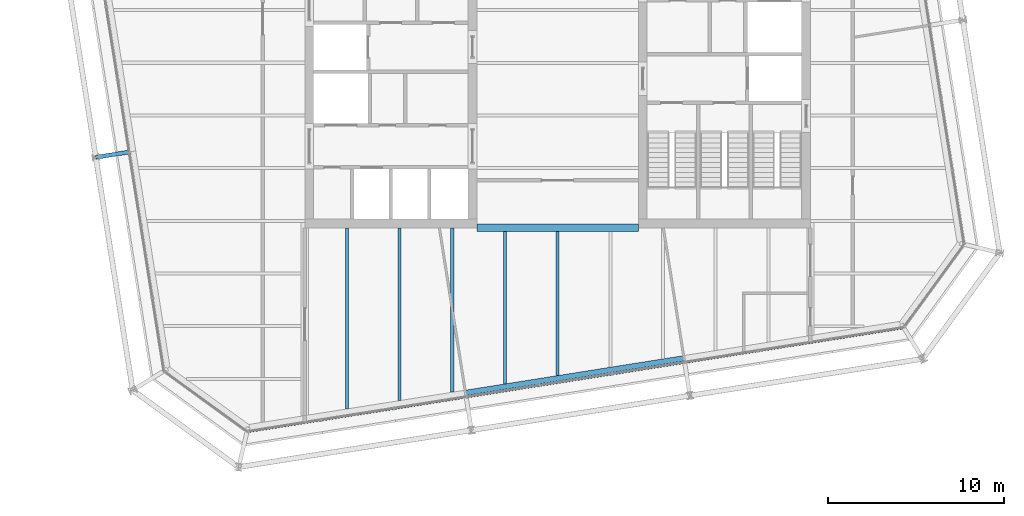
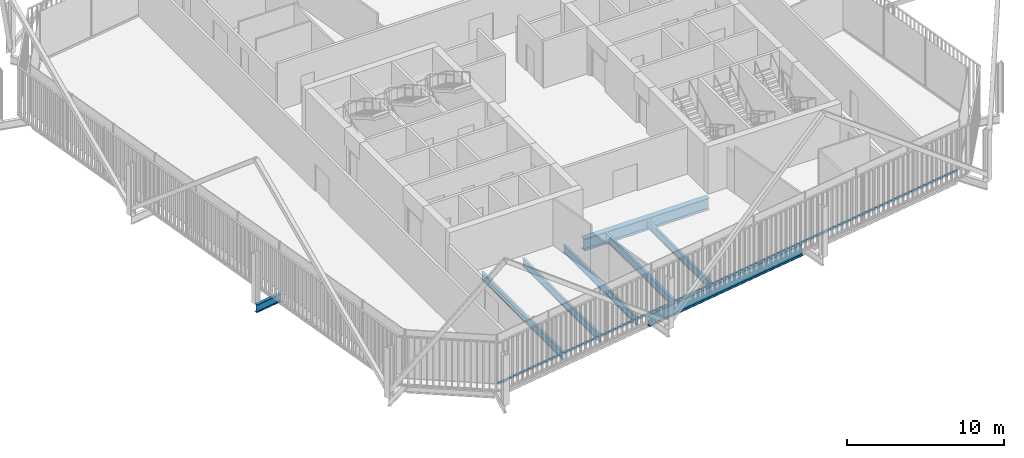
# One storey, part 4 of 21: 8 beams, 1 member, 1 element without a shape of its own.
"""IFC4 building model written with IfcOpenShell, lengths in metres."""

from ifc_helpers import new_model, si_unit, direction, frame, origin, origin_2d, place, context, subcontext, project, spatial, rectangle, i_section, extrude, material, layer, layer_set, material_profile, profile_set, type_object, element, aggregate, save


model = new_model("IFC4")

# Units and contexts
model_context = context("Model", 3, precision=1e-05, world=origin(), true_north=direction((0.0, 1.0)))
body_context = subcontext(model_context, "Body", "Model", "MODEL_VIEW")
ifc_project = project(units=[si_unit("LENGTHUNIT", "METRE"), si_unit("AREAUNIT", "SQUARE_METRE"), si_unit("VOLUMEUNIT", "CUBIC_METRE"), si_unit("PLANEANGLEUNIT", "RADIAN"), si_unit("MASSUNIT", "GRAM", prefix="KILO")], contexts=[model_context])

# Site, building, storey
site_placement = place(None, origin())
site = spatial("IfcSite", under=ifc_project, at=site_placement, CompositionType="ELEMENT")
building_placement = place(site_placement, origin())
building = spatial("IfcBuilding", under=site, at=building_placement, Name="Millrace Tower", CompositionType="ELEMENT")
storey_placement = place(building_placement, frame((0.0, 0.0, 235.89990234375)))
storey = spatial("IfcBuildingStorey", under=building, at=storey_placement, Name="L54", CompositionType="ELEMENT", Elevation=235.89990234375)

# Curtain wall, member
ifc_material_1 = material(Name="Aluminium and glass", Category="aluminium")
ifc_layer = layer(ifc_material_1, 0.14990234375)
ifc_layer_set = layer_set([ifc_layer], Name="Aluminium and glass")
curtain_wall_type = type_object("IfcCurtainWallType", Name="CW-1 office vision curtain wall", PredefinedType="NOTDEFINED", material=ifc_layer_set)
curtain_wall_placement = place(storey_placement, origin())
curtain_wall = element("IfcCurtainWall", 1, at=curtain_wall_placement, inside=storey, type_object=curtain_wall_type, Name="Curtain wall D-F02 L54", PredefinedType="NOTDEFINED")
ifc_material_2 = material(Name="Aluminium", Category="aluminium")
ifc_material_profile_1 = material_profile(ifc_material_2, rectangle(XDim=0.14990234375, YDim=0.139892578125, at=origin_2d()))
ifc_profile_set_1 = profile_set([ifc_material_profile_1], Name="Aluminium")
member_type = type_object("IfcMemberType", Name="CW-1 office vision curtain wall transom", PredefinedType="USERDEFINED", material=ifc_profile_set_1)
member_placement = place(storey_placement, frame((-17.558837890625, -20.98193359375, 0.070068359375), z_axis=(0.987687829698, 0.156437690685, 0.0), x_axis=(-0.156437690685, 0.987687829698, 0.0)))
member = element("IfcMember", 2, at=member_placement, type_object=member_type, Name="CW1 transom D-F02.1", ObjectType="TRANSOM", PredefinedType="USERDEFINED", context=body_context, shape_type="SweptSolid", body=[
    extrude(rectangle(XDim=0.14990234375, YDim=0.139892578125, at=origin_2d()), origin(), (0.0, 0.0, 1.0), 37.60009765625),
])
aggregate(curtain_wall, [member])

# Beams
ifc_material_3 = material(Name="Steel ASTM A992 Grade 50", Category="steel")
ifc_material_profile_2 = material_profile(ifc_material_3, i_section(OverallWidth=0.177978515625, OverallDepth=0.599365234375, WebThickness=0.010009765625, FlangeThickness=0.012939453125, FilletRadius=0.012939453125, at=origin_2d()))
ifc_profile_set_2 = profile_set([ifc_material_profile_2], Name="Steel ASTM A992 Grade 50")
beam_type_1 = type_object("IfcBeamType", Name="Floor beam W24x55", PredefinedType="JOIST", material=ifc_profile_set_2)
beam_1_placement = place(storey_placement, frame((-9.0, -19.2392578125, -0.459716796875), z_axis=(0.0, 1.0, 0.0), x_axis=(-1.0, 0.0, 0.0)))
element("IfcBeam", 3, at=beam_1_placement, inside=storey, type_object=beam_type_1, Name="BM-D-L54-S1-S039", PredefinedType="JOIST", context=body_context, shape_type="SweptSolid", body=[
    extrude(i_section(OverallWidth=0.177978515625, OverallDepth=0.599365234375, WebThickness=0.010009765625, FlangeThickness=0.012939453125, FilletRadius=0.012939453125, at=origin_2d()), origin(), (0.0, 0.0, 1.0), 9.83935546875),
])
beam_2_placement = place(storey_placement, frame((-6.0, -18.763916015625, -0.459716796875), z_axis=(0.0, 1.0, 0.0), x_axis=(-1.0, 0.0, 0.0)))
element("IfcBeam", 4, at=beam_2_placement, inside=storey, type_object=beam_type_1, Name="BM-D-L54-S1-S041", PredefinedType="JOIST", context=body_context, shape_type="SweptSolid", body=[
    extrude(i_section(OverallWidth=0.177978515625, OverallDepth=0.599365234375, WebThickness=0.010009765625, FlangeThickness=0.012939453125, FilletRadius=0.012939453125, at=origin_2d()), origin(), (0.0, 0.0, 1.0), 9.364013671875),
])
beam_3_placement = place(storey_placement, frame((-3.0, -18.288818359375, -0.459716796875), z_axis=(0.0, 1.0, 0.0), x_axis=(-1.0, 0.0, 0.0)))
element("IfcBeam", 5, at=beam_3_placement, inside=storey, type_object=beam_type_1, Name="BM-D-L54-S1-S043", PredefinedType="JOIST", context=body_context, shape_type="SweptSolid", body=[
    extrude(i_section(OverallWidth=0.177978515625, OverallDepth=0.599365234375, WebThickness=0.010009765625, FlangeThickness=0.012939453125, FilletRadius=0.012939453125, at=origin_2d()), origin(), (0.0, 0.0, 1.0), 8.67919921875),
])
beam_4_placement = place(storey_placement, frame((0.0, -17.813720703125, -0.459716796875), z_axis=(0.0, 1.0, 0.0), x_axis=(-1.0, 0.0, 0.0)))
element("IfcBeam", 6, at=beam_4_placement, inside=storey, type_object=beam_type_1, Name="BM-D-L54-S1-S045", PredefinedType="JOIST", context=body_context, shape_type="SweptSolid", body=[
    extrude(i_section(OverallWidth=0.177978515625, OverallDepth=0.599365234375, WebThickness=0.010009765625, FlangeThickness=0.012939453125, FilletRadius=0.012939453125, at=origin_2d()), origin(), (0.0, 0.0, 1.0), 8.2041015625),
])
ifc_material_4 = material(Name="Steel ASTM A992 Grade 50", Category="steel")
ifc_material_profile_3 = material_profile(ifc_material_4, i_section(OverallWidth=0.1787109375, OverallDepth=0.60205078125, WebThickness=0.010986328125, FlangeThickness=0.014892578125, FilletRadius=0.0126953125, at=origin_2d()))
ifc_profile_set_3 = profile_set([ifc_material_profile_3], Name="Steel ASTM A992 Grade 50")
beam_type_2 = type_object("IfcBeamType", Name="Floor beam W24x62", PredefinedType="JOIST", material=ifc_profile_set_3)
beam_5_placement = place(storey_placement, frame((-12.0, -19.71435546875, -0.4609375), z_axis=(0.0, 1.0, 0.0), x_axis=(-1.0, 0.0, 0.0)))
element("IfcBeam", 7, at=beam_5_placement, inside=storey, type_object=beam_type_2, Name="BM-D-L54-S1-S037", PredefinedType="JOIST", context=body_context, shape_type="SweptSolid", body=[
    extrude(i_section(OverallWidth=0.1787109375, OverallDepth=0.60205078125, WebThickness=0.010986328125, FlangeThickness=0.014892578125, FilletRadius=0.0126953125, at=origin_2d()), origin(), (0.0, 0.0, 1.0), 10.314453125),
])
ifc_material_5 = material(Name="Steel ASTM A992 Grade 50", Category="steel")
ifc_material_profile_4 = material_profile(ifc_material_5, i_section(OverallWidth=0.419189453125, OverallDepth=0.927001953125, WebThickness=0.019287109375, FlangeThickness=0.031982421875, FilletRadius=0.024169921875, at=origin_2d()))
ifc_profile_set_4 = profile_set([ifc_material_profile_4], Name="Steel ASTM A992 Grade 50")
beam_type_3 = type_object("IfcBeamType", Name="Girder short span W36x231", PredefinedType="BEAM", material=ifc_profile_set_4)
beam_6_placement = place(storey_placement, frame((-4.60009765625, -9.39990234375, -0.62353515625), z_axis=(1.0, 0.0, 0.0), x_axis=(0.0, 1.0, 0.0)))
element("IfcBeam", 8, at=beam_6_placement, inside=storey, type_object=beam_type_3, Name="BM-D-L54-S1-G059", PredefinedType="BEAM", context=body_context, shape_type="SweptSolid", body=[
    extrude(i_section(OverallWidth=0.419189453125, OverallDepth=0.927001953125, WebThickness=0.019287109375, FlangeThickness=0.031982421875, FilletRadius=0.024169921875, at=origin_2d()), origin(), (0.0, 0.0, 1.0), 9.2001953125),
])
ifc_material_6 = material(Name="Steel ASTM A992 Grade 50", Category="steel")
ifc_material_profile_5 = material_profile(ifc_material_6, i_section(OverallWidth=0.23046875, OverallDepth=0.6171875, WebThickness=0.01318359375, FlangeThickness=0.022216796875, FilletRadius=0.012939453125, at=origin_2d()))
ifc_profile_set_5 = profile_set([ifc_material_profile_5], Name="Steel ASTM A992 Grade 50")
beam_type_4 = type_object("IfcBeamType", Name="Link beam W24x94", PredefinedType="BEAM", material=ifc_profile_set_5)
beam_7_placement = place(storey_placement, frame((-24.331298828125, -5.0703125, -0.468505859375), z_axis=(-0.987678691416, -0.156495375404, 0.0), x_axis=(0.156495375404, -0.987678691416, 0.0)))
element("IfcBeam", 9, at=beam_7_placement, inside=storey, type_object=beam_type_4, Name="LNK-D-L54-S1-02", PredefinedType="BEAM", context=body_context, shape_type="SweptSolid", body=[
    extrude(i_section(OverallWidth=0.23046875, OverallDepth=0.6171875, WebThickness=0.01318359375, FlangeThickness=0.022216796875, FilletRadius=0.012939453125, at=origin_2d()), origin(), (0.0, 0.0, 1.0), 2.0),
])
ifc_material_7 = material(Name="Steel ASTM A992 Grade 50", Category="steel")
ifc_material_profile_6 = material_profile(ifc_material_7, i_section(OverallWidth=0.307373046875, OverallDepth=0.927001953125, WebThickness=0.01953125, FlangeThickness=0.031982421875, FilletRadius=0.01904296875, at=origin_2d()))
ifc_profile_set_6 = profile_set([ifc_material_profile_6], Name="Steel ASTM A992 Grade 50")
beam_type_5 = type_object("IfcBeamType", Name="Ring beam medium span W36x194", PredefinedType="SPANDREL", material=ifc_profile_set_6)
beam_8_placement = place(storey_placement, frame((7.1962890625, -16.82958984375, -0.62353515625), z_axis=(-0.987689802912, -0.156425232058, 0.0), x_axis=(0.156425232058, -0.987689802912, 0.0)))
element("IfcBeam", 10, at=beam_8_placement, inside=storey, type_object=beam_type_5, Name="RNG-D-L54-S1-14", PredefinedType="SPANDREL", context=body_context, shape_type="SweptSolid", body=[
    extrude(i_section(OverallWidth=0.307373046875, OverallDepth=0.927001953125, WebThickness=0.01953125, FlangeThickness=0.031982421875, FilletRadius=0.01904296875, at=origin_2d()), origin(), (0.0, 0.0, 1.0), 12.599853515625),
])

save(model, "model.ifc")
